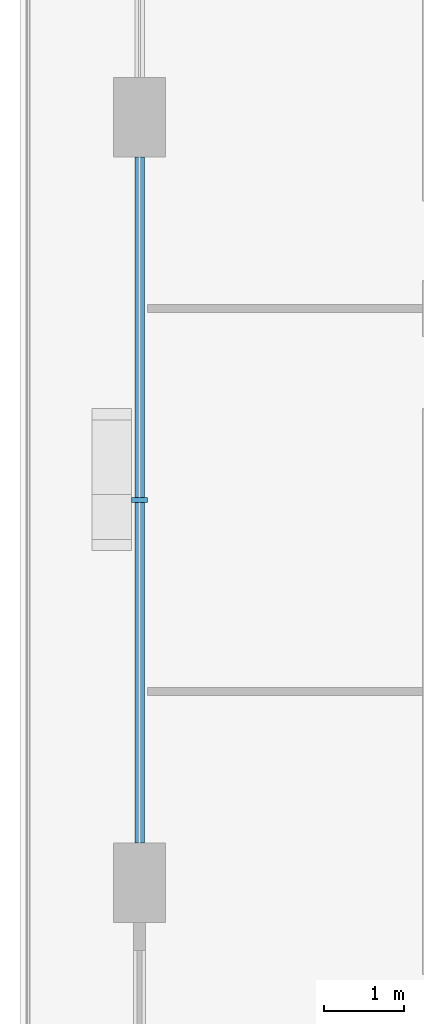
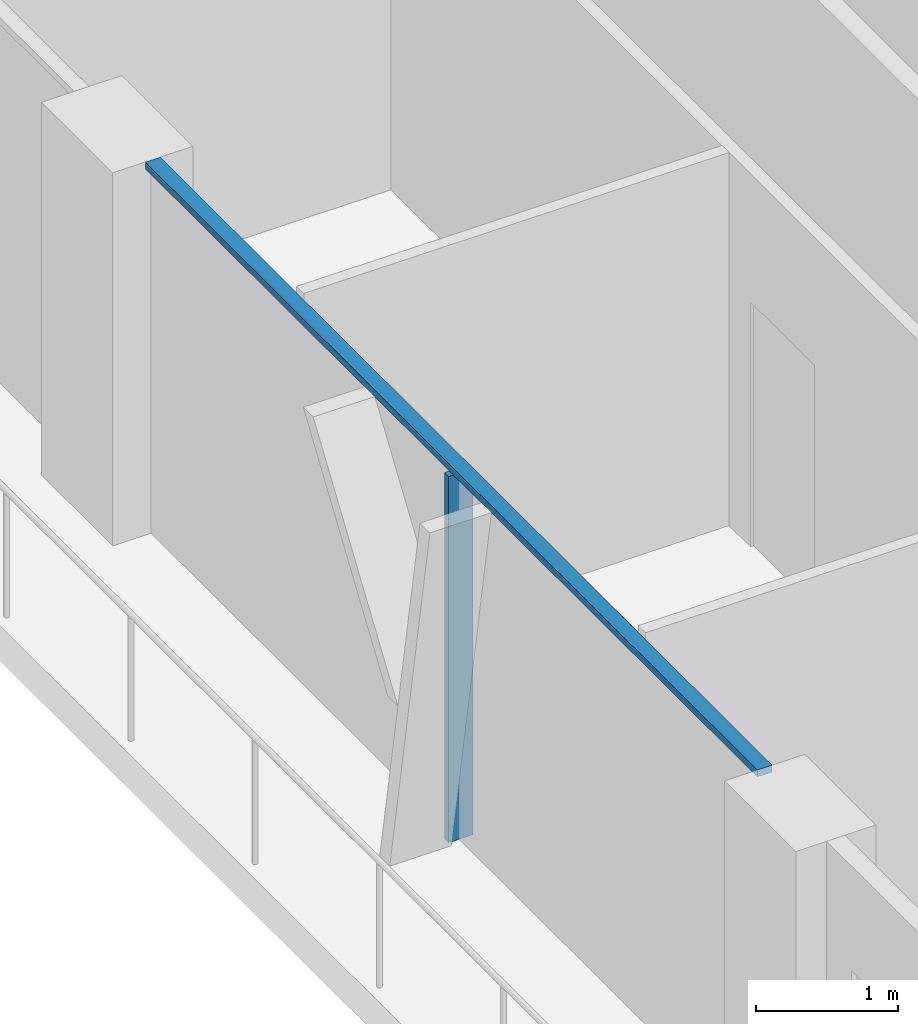
# One storey, part 3 of 23: 2 members, 1 element without a shape of its own.
"""IFC4 building model written with IfcOpenShell, lengths in metres."""

from ifc_helpers import new_model, si_unit, direction, frame, origin, origin_2d, place, context, subcontext, project, spatial, rectangle, extrude, material, layer, layer_set, material_profile, profile_set, type_object, element, aggregate, save


model = new_model("IFC4")

# Units and contexts
model_context = context("Model", 3, precision=1e-05, world=origin(), true_north=direction((0.0, 1.0)))
body_context = subcontext(model_context, "Body", "Model", "MODEL_VIEW")
ifc_project = project(units=[si_unit("LENGTHUNIT", "METRE"), si_unit("AREAUNIT", "SQUARE_METRE"), si_unit("VOLUMEUNIT", "CUBIC_METRE"), si_unit("PLANEANGLEUNIT", "RADIAN"), si_unit("MASSUNIT", "GRAM", prefix="KILO")], contexts=[model_context])

# Site, building, storey
site_placement = place(None, origin())
site = spatial("IfcSite", under=ifc_project, at=site_placement, CompositionType="ELEMENT")
building_placement = place(site_placement, origin())
building = spatial("IfcBuilding", under=site, at=building_placement, Name="Madar Terraces", CompositionType="ELEMENT")
storey_placement = place(building_placement, frame((0.0, 0.0, 222.800048828125)))
storey = spatial("IfcBuildingStorey", under=building, at=storey_placement, Name="L58", CompositionType="ELEMENT", Elevation=222.800048828125)

# Curtain wall, members
ifc_material_1 = material(Name="Glass, ceramic frit dark grey, with black aluminium frame", Category="aluminium")
ifc_layer = layer(ifc_material_1, 0.199951171875)
ifc_layer_set = layer_set([ifc_layer], Name="Facade curtain wall, fritted glass")
curtain_wall_type = type_object("IfcCurtainWallType", Name="Facade curtain wall, fritted glass", PredefinedType="NOTDEFINED", material=ifc_layer_set)
curtain_wall_placement = place(storey_placement, origin())
curtain_wall = element("IfcCurtainWall", 1, at=curtain_wall_placement, inside=storey, type_object=curtain_wall_type, Name="Outer skin curtain wall west bay 2", PredefinedType="NOTDEFINED")
ifc_material_2 = material(Name="Aluminium, black anodised", Category="aluminium")
ifc_material_profile_1 = material_profile(ifc_material_2, rectangle(XDim=0.199951171875, YDim=0.06005859375, at=origin_2d()), Name="Facade mullion 60x200")
ifc_profile_set_1 = profile_set([ifc_material_profile_1], Name="Aluminium, black anodised")
member_type_1 = type_object("IfcMemberType", Name="Facade mullion 60x200", PredefinedType="MULLION", material=ifc_profile_set_1)
member_1_placement = place(storey_placement, frame((4.800048828125, 33.60009765625, 0.0), z_axis=(0.0, 0.0, 1.0), x_axis=(1.0, 0.0, 0.0)))
member_1 = element("IfcMember", 2, at=member_1_placement, type_object=member_type_1, Name="Mullion 1", PredefinedType="MULLION", context=body_context, shape_type="SweptSolid", body=[
    extrude(rectangle(XDim=0.199951171875, YDim=0.06005859375, at=origin_2d()), origin(), (0.0, 0.0, 1.0), 3.139892578125),
])
ifc_material_3 = material(Name="Aluminium, black anodised", Category="aluminium")
ifc_material_profile_2 = material_profile(ifc_material_3, rectangle(XDim=0.1201171875, YDim=0.06005859375, at=origin_2d()), Name="Facade transom 60x120")
ifc_profile_set_2 = profile_set([ifc_material_profile_2], Name="Aluminium, black anodised")
member_type_2 = type_object("IfcMemberType", Name="Facade transom 60x120", PredefinedType="USERDEFINED", material=ifc_profile_set_2)
member_2_placement = place(storey_placement, frame((4.800048828125, 37.89990234375, 3.169921875), z_axis=(0.0, -1.0, 0.0), x_axis=(1.0, 0.0, 0.0)))
member_2 = element("IfcMember", 3, at=member_2_placement, type_object=member_type_2, Name="Transom 1", ObjectType="TRANSOM", PredefinedType="USERDEFINED", context=body_context, shape_type="SweptSolid", body=[
    extrude(rectangle(XDim=0.1201171875, YDim=0.06005859375, at=origin_2d()), origin(), (0.0, 0.0, 1.0), 8.599853515625),
])
aggregate(curtain_wall, [member_1, member_2])

save(model, "model.ifc")
